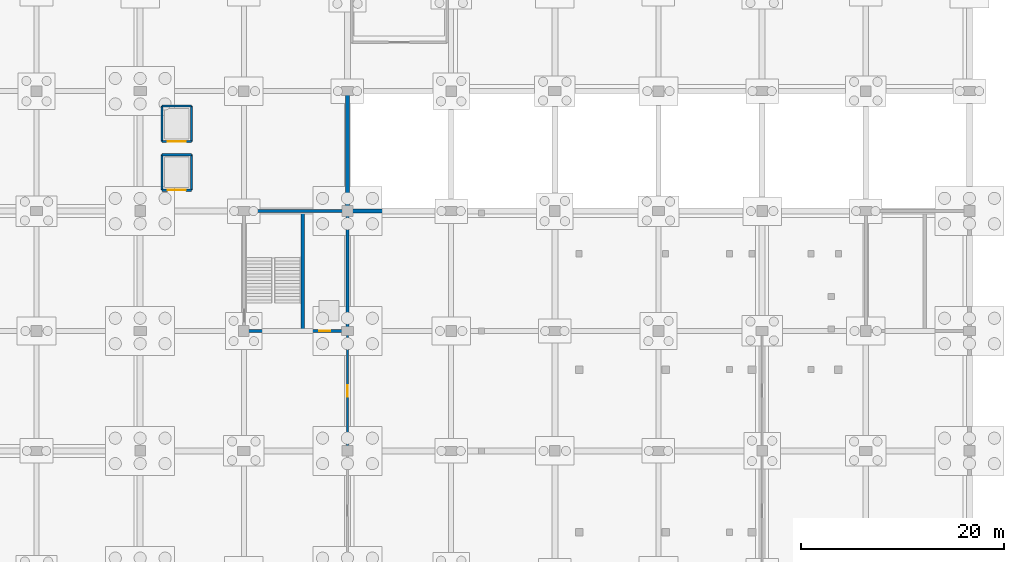
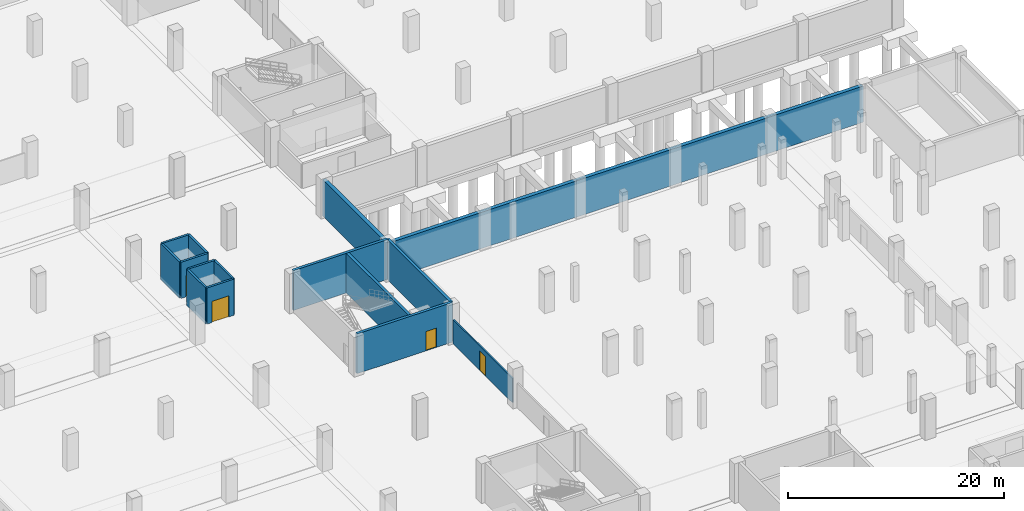
# One storey, part 38 of 52: 15 walls, 4 doors, 4 openings.
"""IFC4 building model written with IfcOpenShell, lengths in metres."""

import ifcopenshell
import ifcopenshell.guid

model = None  # the IFC model being written
_history = None  # IfcOwnerHistory: only IFC2X3 demands one
_inside = {}  # id of a spatial element -> (the spatial element, [elements in it])
_under = {}  # id of a project, library or spatial element -> (it, [spatial elements below it])
_declared = {}  # id of a project -> (the project, [libraries it declares])
_typed = {}  # id of a type object -> (the type object, [elements of that type])
_made_of = {}  # id of a material, layer set ... -> (it, [elements and type objects made of it])


def new_model(schema):
    """Start an empty IFC model of exactly this schema.

    Asked for "IFC4X3", IfcOpenShell would pick the latest addendum, in which some entities
    have other attributes; the version numbers below select the first issue.
    IFC2X3 requires an IfcOwnerHistory on every rooted entity: one is made here for all.
    """
    global model, _history
    if schema == "IFC4X3":
        model = ifcopenshell.file(schema_version=(4, 3, 0, 0))
    else:
        model = ifcopenshell.file(schema=schema)
    _inside.clear()
    _under.clear()
    _declared.clear()
    _typed.clear()
    _made_of.clear()
    _history = None
    if model.schema == "IFC2X3":
        org = make("IfcOrganization", Name="unknown")
        user = make(
            "IfcPersonAndOrganization",
            ThePerson=make("IfcPerson", FamilyName="unknown"),
            TheOrganization=org,
        )
        app = make(
            "IfcApplication",
            ApplicationDeveloper=org,
            Version="unknown",
            ApplicationFullName="unknown",
            ApplicationIdentifier="unknown",
        )
        _history = make(
            "IfcOwnerHistory",
            OwningUser=user,
            OwningApplication=app,
            ChangeAction="ADDED",
            CreationDate=0,
        )
    return model


def make(cls, **values):
    """One entity of the class cls with the attributes given. An attribute that is None is left unset."""
    return model.create_entity(
        cls, **{name: value for name, value in values.items() if value is not None}
    )


def rooted(cls, **values):
    """An entity with a GlobalId (a new one), such as an element, a storey or a relation."""
    return make(cls, GlobalId=ifcopenshell.guid.new(), OwnerHistory=_history, **values)


def si_unit(unit_type, name, prefix=None):
    """IfcSIUnit, for example si_unit("LENGTHUNIT", "METRE", prefix="MILLI")."""
    return make("IfcSIUnit", UnitType=unit_type, Prefix=prefix, Name=name)


def assignment(units):
    """IfcUnitAssignment: the units of a project."""
    return None if units is None else make("IfcUnitAssignment", Units=units)


def point(xyz):
    """IfcCartesianPoint."""
    return None if xyz is None else make("IfcCartesianPoint", Coordinates=xyz)


def direction(xyz):
    """IfcDirection."""
    return None if xyz is None else make("IfcDirection", DirectionRatios=xyz)


def frame(location, z_axis=None, x_axis=None):
    """IfcAxis2Placement3D, a coordinate frame: its origin and axes. An axis left out is left unset."""
    return make(
        "IfcAxis2Placement3D",
        Location=point(location),
        Axis=direction(z_axis),
        RefDirection=direction(x_axis),
    )


def frame_2d(location, x_axis=None):
    """IfcAxis2Placement2D, a coordinate frame in the plane: its origin and x axis."""
    return make(
        "IfcAxis2Placement2D", Location=point(location), RefDirection=direction(x_axis)
    )


def origin():
    """The frame at (0, 0, 0) with its axes left unset."""
    return frame((0.0, 0.0, 0.0))


def place(relative_to, where):
    """IfcLocalPlacement: puts the frame where relative to a parent placement (None: the world)."""
    return make(
        "IfcLocalPlacement", PlacementRelTo=relative_to, RelativePlacement=where
    )


def context(
    kind, dimensions, precision=None, world=None, true_north=None, identifier=None
):
    """IfcGeometricRepresentationContext, for example the 3D "Model" context."""
    return make(
        "IfcGeometricRepresentationContext",
        ContextIdentifier=identifier,
        ContextType=kind,
        CoordinateSpaceDimension=dimensions,
        Precision=precision,
        WorldCoordinateSystem=world,
        TrueNorth=true_north,
    )


def subcontext(parent, identifier, kind, view, scale=None):
    """IfcGeometricRepresentationSubContext, for example "Body" below "Model"."""
    return make(
        "IfcGeometricRepresentationSubContext",
        ContextIdentifier=identifier,
        ContextType=kind,
        ParentContext=parent,
        TargetScale=scale,
        TargetView=view,
    )


def project(units=None, contexts=None):
    """IfcProject with its units and contexts."""
    return rooted(
        "IfcProject",
        Name="project",
        RepresentationContexts=contexts,
        UnitsInContext=assignment(units),
    )


def spatial(cls, under=None, at=None, **own):
    """A site, building, storey or space (cls), placed at a placement, below another one or the project."""
    s = rooted(cls, ObjectPlacement=at, **own)
    if under is not None:
        _under.setdefault(under.id(), (under, []))[1].append(s)
    return s


def profile(cls, at=None, kind="AREA", **sizes):
    """A parametric profile (cls). Its sizes go by their IFC names, for example OverallWidth=200.0."""
    return make(cls, ProfileType=kind, Position=at, **sizes)


def rectangle(**sizes):
    """IfcRectangleProfileDef."""
    return profile("IfcRectangleProfileDef", **sizes)


def extrude(swept, where, along, depth):
    """IfcExtrudedAreaSolid: the profile swept, set in the frame where, extruded along a direction by depth."""
    return make(
        "IfcExtrudedAreaSolid",
        SweptArea=swept,
        Position=where,
        ExtrudedDirection=direction(along),
        Depth=depth,
    )


def shape(context_of_items, identifier, shape_type, items):
    """IfcShapeRepresentation: the items that make up one representation, for example the "Body"."""
    return make(
        "IfcShapeRepresentation",
        ContextOfItems=context_of_items,
        RepresentationIdentifier=identifier,
        RepresentationType=shape_type,
        Items=items,
    )


def material(Name=None, Category=None):
    """IfcMaterial."""
    return make("IfcMaterial", Name=Name, Category=Category)


def layer(
    of_material, thickness, ventilated=None, Name=None, Category=None, Priority=None
):
    """IfcMaterialLayer: one layer of a wall or slab, of a material (None: an air gap)."""
    return make(
        "IfcMaterialLayer",
        Material=of_material,
        LayerThickness=thickness,
        IsVentilated=ventilated,
        Name=Name,
        Category=Category,
        Priority=Priority,
    )


def layer_set(layers, Name=None):
    """IfcMaterialLayerSet."""
    return make("IfcMaterialLayerSet", MaterialLayers=layers, LayerSetName=Name)


def made_of(thing, what):
    """Note that an element or type object is made of a material, layer set ...; save() writes the relation."""
    if what is not None:
        _made_of.setdefault(what.id(), (what, []))[1].append(thing)
    return thing


def type_object(cls, material=None, **own):
    """A type object (cls), such as IfcWallType, which elements share."""
    return made_of(rooted(cls, **own), material)


def element(
    cls,
    number,
    at=None,
    inside=None,
    cuts=None,
    type_object=None,
    material=None,
    context=None,
    identifier="Body",
    shape_type=None,
    held_by="IfcProductDefinitionShape",
    body=None,
    shapes=None,
    **own,
):
    """One element of the class cls, such as IfcWall. Its Tag is "e" and its number.

    at: its placement. inside: the storey or other place that contains it. cuts: it is an
    opening in that element (IfcRelVoidsElement). A single representation is given by context,
    identifier, shape_type and body (its items); several are given by shapes. held_by: the class
    of the entity that holds the representations. save() writes the other relations.
    """
    e = rooted(cls, Tag="e%d" % number, ObjectPlacement=at, **own)
    if body is not None:
        shapes = [shape(context, identifier, shape_type, body)]
    if shapes is not None:
        e.Representation = make(held_by, Representations=shapes)
    if inside is not None:
        _inside.setdefault(inside.id(), (inside, []))[1].append(e)
    if cuts is not None:
        rooted(
            "IfcRelVoidsElement", RelatingBuildingElement=cuts, RelatedOpeningElement=e
        )
    if type_object is not None:
        _typed.setdefault(type_object.id(), (type_object, []))[1].append(e)
    return made_of(e, material)


def fill(opening, filler):
    """IfcRelFillsElement: the door or window that sits in an opening."""
    return rooted(
        "IfcRelFillsElement",
        RelatingOpeningElement=opening,
        RelatedBuildingElement=filler,
    )


def aggregate(whole, parts):
    """IfcRelAggregates: a whole, such as a stair, and the parts it consists of."""
    return rooted("IfcRelAggregates", RelatingObject=whole, RelatedObjects=parts)


def save(model, path):
    """Write the relations noted so far, then the file.

    IfcRelAggregates (storeys below a building ...), IfcRelContainedInSpatialStructure (elements
    in a storey), IfcRelDefinesByType, IfcRelAssociatesMaterial and IfcRelDeclares: one each for
    every whole, place, type object, material and project.
    """
    for whole, parts in _under.values():
        aggregate(whole, parts)
    for where, things in _inside.values():
        rooted(
            "IfcRelContainedInSpatialStructure",
            RelatedElements=things,
            RelatingStructure=where,
        )
    for kind, things in _typed.values():
        rooted("IfcRelDefinesByType", RelatedObjects=things, RelatingType=kind)
    for what, things in _made_of.values():
        rooted("IfcRelAssociatesMaterial", RelatedObjects=things, RelatingMaterial=what)
    for by, libraries in _declared.values():
        rooted("IfcRelDeclares", RelatingContext=by, RelatedDefinitions=libraries)
    model.write(path)


model = new_model("IFC4")

# Units and contexts
model_context = context("Model", 3, precision=1e-05, world=origin(), true_north=direction((0.0, 1.0)))
body_context = subcontext(model_context, "Body", "Model", "MODEL_VIEW")
ifc_project = project(units=[si_unit("LENGTHUNIT", "METRE"), si_unit("AREAUNIT", "SQUARE_METRE"), si_unit("VOLUMEUNIT", "CUBIC_METRE"), si_unit("PLANEANGLEUNIT", "RADIAN"), si_unit("MASSUNIT", "GRAM", prefix="KILO")], contexts=[model_context])

# Site, building, storey
site_placement = place(None, origin())
site = spatial("IfcSite", under=ifc_project, at=site_placement, CompositionType="ELEMENT")
building_placement = place(site_placement, origin())
building = spatial("IfcBuilding", under=site, at=building_placement, Name="Brelvane Convention Centre", CompositionType="ELEMENT")
storey_placement = place(building_placement, frame((0.0, 0.0, -4.5)))
storey = spatial("IfcBuildingStorey", under=building, at=storey_placement, Name="B1", CompositionType="ELEMENT", Elevation=-4.5)

# Wall, opening, door
ifc_material_1 = material(Name="Fire-Rated Acoustic Gypsum Partition Board Grade A")
ifc_layer_1 = layer(ifc_material_1, 0.155029296875)
ifc_layer_set_1 = layer_set([ifc_layer_1], Name="Fire-Rated Acoustic Gypsum Partition Board Grade A")
wall_type_1 = type_object("IfcWallType", Name="Interior Wall IW-AC-155", PredefinedType="PARTITIONING", material=ifc_layer_set_1)
wall_1_placement = place(storey_placement, frame((163.199951171875, 64.60009765625, 0.0), z_axis=(0.0, 0.0, 1.0), x_axis=(0.0, 1.0, 0.0)))
wall_1 = element("IfcWall", 1, at=wall_1_placement, inside=storey, type_object=wall_type_1, Name="Interior Partition B1-CHILL2", PredefinedType="PARTITIONING", context=body_context, shape_type="SweptSolid", body=[
    extrude(rectangle(XDim=11.0, YDim=0.155029296875, at=frame_2d((5.5, 0.0))), origin(), (0.0, 0.0, 1.0), 2.75),
])
opening_1_placement = place(wall_1_placement, frame((4.919921875, 0.0, 0.0)))
opening_1 = element("IfcOpeningElement", 2, at=opening_1_placement, cuts=wall_1, Name="Opening DR-IN-04L", PredefinedType="OPENING", context=body_context, shape_type="SweptSolid", body=[
    extrude(rectangle(XDim=1.159912109375, YDim=2.199951171875, at=frame_2d((0.580078125, 1.10009765625))), frame((0.0, 0.08740234375, 0.0), z_axis=(0.0, -1.0, 0.0), x_axis=(1.0, 0.0, 0.0)), (0.0, 0.0, 1.0), 0.175048828125),
])
ifc_material_2 = material(Name="Galvanised Hollow-Metal Fire Door Steel E250", Category="steel")
door_type_1 = type_object("IfcDoorType", Name="Interior Door DR-IN-04L", OperationType="NOTDEFINED", PredefinedType="DOOR", material=ifc_material_2)
door_1_placement = place(opening_1_placement, origin())
door_1 = element("IfcDoor", 3, at=door_1_placement, inside=storey, type_object=door_type_1, Name="Interior Door B1-CHILL2 (DR-IN-04L)", OperationType="SINGLE_SWING_LEFT", OverallHeight=2.199951171875, OverallWidth=1.159912109375, PredefinedType="DOOR", context=body_context, shape_type="SweptSolid", body=[
    extrude(rectangle(XDim=1.159912109375, YDim=2.199951171875, at=frame_2d((0.580078125, 1.10009765625))), frame((0.0, 0.02490234375, 0.0), z_axis=(0.0, -1.0, 0.0), x_axis=(1.0, 0.0, 0.0)), (0.0, 0.0, 1.0), 0.050048828125),
])
fill(opening_1, door_1)

ifc_material_3 = material(Name="Concrete M40", Category="concrete")
ifc_layer_2 = layer(ifc_material_3, 0.219970703125)
ifc_layer_set_2 = layer_set([ifc_layer_2], Name="Concrete M40")
wall_type_2 = type_object("IfcWallType", Name="Interior Wall IW-FR-220", PredefinedType="PARTITIONING", material=ifc_layer_set_2)
wall_2_placement = place(storey_placement, frame((144.949951171875, 89.85009765625, 0.0), z_axis=(0.0, 0.0, 1.0), x_axis=(1.0, 0.0, 0.0)))
wall_2 = element("IfcWall", 4, at=wall_2_placement, inside=storey, type_object=wall_type_2, Name="Lift LG-01 Shaft Wall S (B1)", PredefinedType="PARTITIONING", context=body_context, shape_type="SweptSolid", body=[
    extrude(rectangle(XDim=2.900146484375, YDim=0.219970703125, at=frame_2d((1.4501953125, 0.0))), origin(), (0.0, 0.0, 1.0), 4.10009765625),
])
opening_2_placement = place(wall_2_placement, frame((0.550048828125, 0.0, 0.0)))
opening_2 = element("IfcOpeningElement", 5, at=opening_2_placement, cuts=wall_2, Name="Opening LD-04", PredefinedType="OPENING", context=body_context, shape_type="SweptSolid", body=[
    extrude(rectangle(XDim=1.800048828125, YDim=2.39990234375, at=frame_2d((0.89990234375, 1.199951171875))), frame((0.0, 0.119873046875, 0.0), z_axis=(0.0, -1.0, 0.0), x_axis=(1.0, 0.0, 0.0)), (0.0, 0.0, 1.0), 0.239990234375),
])
ifc_material_4 = material(Name="Galvanised Hollow-Metal Fire Door Steel E250", Category="steel")
door_type_2 = type_object("IfcDoorType", Name="Interior Door LD-04", OperationType="NOTDEFINED", PredefinedType="DOOR", material=ifc_material_4)
door_2_placement = place(opening_2_placement, origin())
door_2 = element("IfcDoor", 6, at=door_2_placement, inside=storey, type_object=door_type_2, Name="Lift LG-01 Landing Door (B1)", OperationType="DOUBLE_DOOR_SLIDING", OverallHeight=2.39990234375, OverallWidth=1.800048828125, PredefinedType="DOOR", context=body_context, shape_type="SweptSolid", body=[
    extrude(rectangle(XDim=1.800048828125, YDim=2.39990234375, at=frame_2d((0.89990234375, 1.199951171875))), frame((0.0, 0.02490234375, 0.0), z_axis=(0.0, -1.0, 0.0), x_axis=(1.0, 0.0, 0.0)), (0.0, 0.0, 1.0), 0.050048828125),
])
fill(opening_2, door_2)

# Walls
wall_3_placement = place(storey_placement, frame((144.949951171875, 93.35009765625, 0.0), z_axis=(0.0, 0.0, 1.0), x_axis=(1.0, 0.0, 0.0)))
element("IfcWall", 7, at=wall_3_placement, inside=storey, type_object=wall_type_2, Name="Lift LG-01 Shaft Wall N (B1)", PredefinedType="PARTITIONING", context=body_context, shape_type="SweptSolid", body=[
    extrude(rectangle(XDim=2.900146484375, YDim=0.219970703125, at=frame_2d((1.4501953125, 0.0))), origin(), (0.0, 0.0, 1.0), 4.10009765625),
])
for number, where, z_axis, x_axis, name in (
    (8, (144.949951171875, 89.85009765625, 0.0), (0.0, 0.0, 1.0), (0.0, 1.0, 0.0), "Lift LG-01 Shaft Wall W (B1)"),
    (9, (147.85009765625, 89.85009765625, 0.0), (0.0, 0.0, 1.0), (0.0, 1.0, 0.0), "Lift LG-01 Shaft Wall E (B1)"),
):
    element("IfcWall", number, at=place(storey_placement, frame(where, z_axis=z_axis, x_axis=x_axis)), inside=storey, type_object=wall_type_2, Name=name, PredefinedType="PARTITIONING", context=body_context, shape_type="SweptSolid", body=[
        extrude(rectangle(XDim=3.5, YDim=0.219970703125, at=frame_2d((1.75, 0.0))), origin(), (0.0, 0.0, 1.0), 4.10009765625),
    ])

# Wall, opening, door
wall_4_placement = place(storey_placement, frame((144.949951171875, 94.64990234375, 0.0), z_axis=(0.0, 0.0, 1.0), x_axis=(1.0, 0.0, 0.0)))
wall_4 = element("IfcWall", 10, at=wall_4_placement, inside=storey, type_object=wall_type_2, Name="Lift LG-02 Shaft Wall S (B1)", PredefinedType="PARTITIONING", context=body_context, shape_type="SweptSolid", body=[
    extrude(rectangle(XDim=2.900146484375, YDim=0.219970703125, at=frame_2d((1.4501953125, 0.0))), origin(), (0.0, 0.0, 1.0), 4.10009765625),
])
opening_3_placement = place(wall_4_placement, frame((0.550048828125, 0.0, 0.0)))
opening_3 = element("IfcOpeningElement", 11, at=opening_3_placement, cuts=wall_4, Name="Opening LD-04", PredefinedType="OPENING", context=body_context, shape_type="SweptSolid", body=[
    extrude(rectangle(XDim=1.800048828125, YDim=2.39990234375, at=frame_2d((0.89990234375, 1.199951171875))), frame((0.0, 0.119873046875, 0.0), z_axis=(0.0, -1.0, 0.0), x_axis=(1.0, 0.0, 0.0)), (0.0, 0.0, 1.0), 0.239990234375),
])
door_3_placement = place(opening_3_placement, origin())
door_3 = element("IfcDoor", 12, at=door_3_placement, inside=storey, type_object=door_type_2, Name="Lift LG-02 Landing Door (B1)", OperationType="DOUBLE_DOOR_SLIDING", OverallHeight=2.39990234375, OverallWidth=1.800048828125, PredefinedType="DOOR", context=body_context, shape_type="SweptSolid", body=[
    extrude(rectangle(XDim=1.800048828125, YDim=2.39990234375, at=frame_2d((0.89990234375, 1.199951171875))), frame((0.0, 0.02490234375, 0.0), z_axis=(0.0, -1.0, 0.0), x_axis=(1.0, 0.0, 0.0)), (0.0, 0.0, 1.0), 0.050048828125),
])
fill(opening_3, door_3)

# Walls
wall_5_placement = place(storey_placement, frame((144.949951171875, 98.14990234375, 0.0), z_axis=(0.0, 0.0, 1.0), x_axis=(1.0, 0.0, 0.0)))
element("IfcWall", 13, at=wall_5_placement, inside=storey, type_object=wall_type_2, Name="Lift LG-02 Shaft Wall N (B1)", PredefinedType="PARTITIONING", context=body_context, shape_type="SweptSolid", body=[
    extrude(rectangle(XDim=2.900146484375, YDim=0.219970703125, at=frame_2d((1.4501953125, 0.0))), origin(), (0.0, 0.0, 1.0), 4.10009765625),
])
for number, where, z_axis, x_axis, name in (
    (14, (144.949951171875, 94.64990234375, 0.0), (0.0, 0.0, 1.0), (0.0, 1.0, 0.0), "Lift LG-02 Shaft Wall W (B1)"),
    (15, (147.85009765625, 94.64990234375, 0.0), (0.0, 0.0, 1.0), (0.0, 1.0, 0.0), "Lift LG-02 Shaft Wall E (B1)"),
):
    element("IfcWall", number, at=place(storey_placement, frame(where, z_axis=z_axis, x_axis=x_axis)), inside=storey, type_object=wall_type_2, Name=name, PredefinedType="PARTITIONING", context=body_context, shape_type="SweptSolid", body=[
        extrude(rectangle(XDim=3.5, YDim=0.219970703125, at=frame_2d((1.75, 0.0))), origin(), (0.0, 0.0, 1.0), 4.10009765625),
    ])

# Wall, opening, door
ifc_material_5 = material(Name="Concrete M50", Category="concrete")
ifc_layer_3 = layer(ifc_material_5, 0.300048828125)
ifc_layer_set_3 = layer_set([ifc_layer_3], Name="Concrete M50")
wall_type_3 = type_object("IfcWallType", Name="Structural Wall WL-CORE-300", PredefinedType="SHEAR", material=ifc_layer_set_3)
wall_6_placement = place(storey_placement, frame((153.0, 76.0, 0.0), z_axis=(0.0, 0.0, 1.0), x_axis=(1.0, 0.0, 0.0)))
wall_6 = element("IfcWall", 16, at=wall_6_placement, inside=storey, type_object=wall_type_3, Name="Core C4 Shear Wall S (B1)", PredefinedType="SHEAR", context=body_context, shape_type="SweptSolid", body=[
    extrude(rectangle(XDim=10.199951171875, YDim=0.300048828125, at=frame_2d((5.10009765625, 0.0))), origin(), (0.0, 0.0, 1.0), 4.5),
])
opening_4_placement = place(wall_6_placement, frame((7.39990234375, 0.0, 0.0)))
opening_4 = element("IfcOpeningElement", 17, at=opening_4_placement, cuts=wall_6, Name="Opening LD-02", PredefinedType="OPENING", context=body_context, shape_type="SweptSolid", body=[
    extrude(rectangle(XDim=1.10009765625, YDim=2.199951171875, at=frame_2d((0.550048828125, 1.10009765625))), frame((0.0, 0.159912109375, 0.0), z_axis=(0.0, -1.0, 0.0), x_axis=(1.0, 0.0, 0.0)), (0.0, 0.0, 1.0), 0.320068359375),
])
ifc_material_6 = material(Name="Galvanised Hollow-Metal Fire Door Steel E250", Category="steel")
door_type_3 = type_object("IfcDoorType", Name="Interior Door LD-02", OperationType="NOTDEFINED", PredefinedType="DOOR", material=ifc_material_6)
door_4_placement = place(opening_4_placement, origin())
door_4 = element("IfcDoor", 18, at=door_4_placement, inside=storey, type_object=door_type_3, Name="Lift LP-02 Landing Door (B1)", OperationType="SLIDING_TO_RIGHT", OverallHeight=2.199951171875, OverallWidth=1.10009765625, PredefinedType="DOOR", context=body_context, shape_type="SweptSolid", body=[
    extrude(rectangle(XDim=1.10009765625, YDim=2.199951171875, at=frame_2d((0.550048828125, 1.10009765625))), frame((0.0, 0.02490234375, 0.0), z_axis=(0.0, -1.0, 0.0), x_axis=(1.0, 0.0, 0.0)), (0.0, 0.0, 1.0), 0.050048828125),
])
fill(opening_4, door_4)

# Walls
wall_7_placement = place(storey_placement, frame((153.0, 87.800048828125, 0.0), z_axis=(0.0, 0.0, 1.0), x_axis=(1.0, 0.0, 0.0)))
element("IfcWall", 19, at=wall_7_placement, inside=storey, type_object=wall_type_3, Name="Core C4 Shear Wall N (B1)", PredefinedType="SHEAR", context=body_context, shape_type="SweptSolid", body=[
    extrude(rectangle(XDim=10.199951171875, YDim=0.300048828125, at=frame_2d((5.10009765625, 0.0))), origin(), (0.0, 0.0, 1.0), 4.5),
])
wall_8_placement = place(storey_placement, frame((163.199951171875, 76.0, 0.0), z_axis=(0.0, 0.0, 1.0), x_axis=(0.0, 1.0, 0.0)))
element("IfcWall", 20, at=wall_8_placement, inside=storey, type_object=wall_type_3, Name="Core C4 Shear Wall E (B1)", PredefinedType="SHEAR", context=body_context, shape_type="SweptSolid", body=[
    extrude(rectangle(XDim=11.800048828125, YDim=0.300048828125, at=frame_2d((5.89990234375, 0.0))), origin(), (0.0, 0.0, 1.0), 4.5),
])
wall_9_placement = place(storey_placement, frame((158.800048828125, 76.14990234375, 0.0), z_axis=(0.0, 0.0, 1.0), x_axis=(0.0, 1.0, 0.0)))
element("IfcWall", 21, at=wall_9_placement, inside=storey, type_object=wall_type_3, Name="Core C4 Shaft Divider Wall (B1)", PredefinedType="SHEAR", context=body_context, shape_type="SweptSolid", body=[
    extrude(rectangle(XDim=11.5, YDim=0.300048828125, at=frame_2d((5.75, 0.0))), origin(), (0.0, 0.0, 1.0), 4.5),
])
ifc_material_7 = material(Name="Concrete M40", Category="concrete")
ifc_layer_4 = layer(ifc_material_7, 0.39990234375)
ifc_layer_set_4 = layer_set([ifc_layer_4], Name="Concrete M40")
wall_type_4 = type_object("IfcWallType", Name="Structural Wall WL-RET-400", PredefinedType="SOLIDWALL", material=ifc_layer_set_4)
wall_10_placement = place(storey_placement, frame((214.0, 87.800048828125, 0.0), z_axis=(0.0, 0.0, 1.0), x_axis=(-1.0, 0.0, 0.0)))
element("IfcWall", 22, at=wall_10_placement, inside=storey, type_object=wall_type_4, Name="Basement Retaining Wall E-NOTCH1", PredefinedType="SOLIDWALL", context=body_context, shape_type="SweptSolid", body=[
    extrude(rectangle(XDim=50.800048828125, YDim=0.39990234375, at=frame_2d((25.39990234375, 0.0))), origin(), (0.0, 0.0, 1.0), 4.10009765625),
])
wall_11_placement = place(storey_placement, frame((163.199951171875, 87.800048828125, 0.0), z_axis=(0.0, 0.0, 1.0), x_axis=(0.0, 1.0, 0.0)))
element("IfcWall", 23, at=wall_11_placement, inside=storey, type_object=wall_type_4, Name="Basement Retaining Wall E-NOTCH2", PredefinedType="SOLIDWALL", context=body_context, shape_type="SweptSolid", body=[
    extrude(rectangle(XDim=11.800048828125, YDim=0.39990234375, at=frame_2d((5.89990234375, 0.0))), origin(), (0.0, 0.0, 1.0), 4.10009765625),
])

save(model, "model.ifc")
